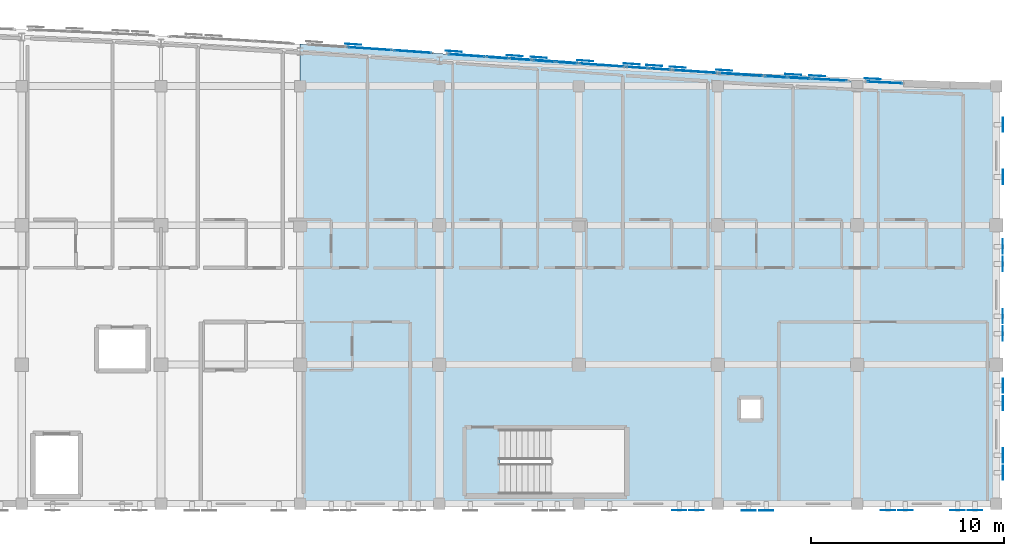
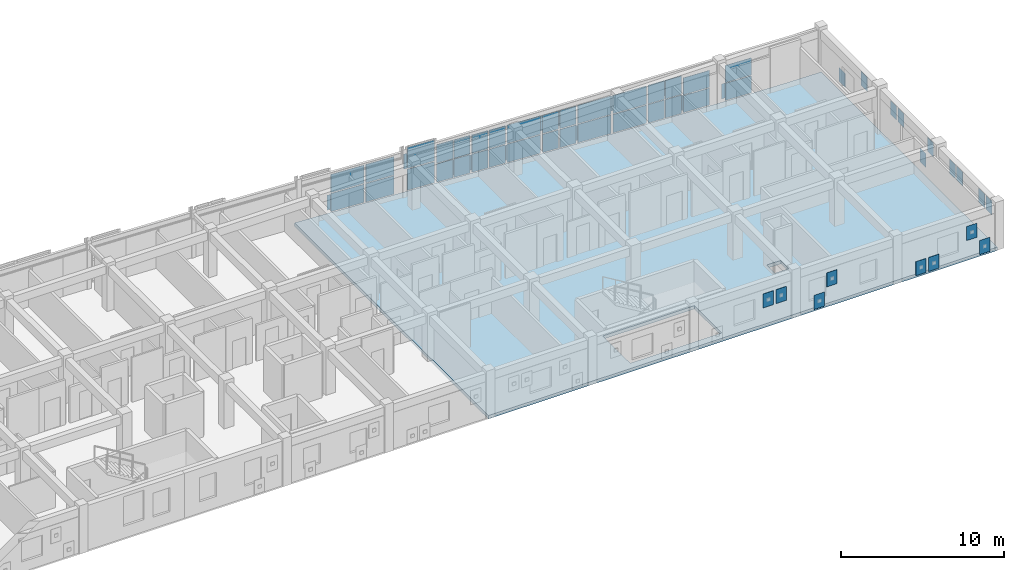
# One storey, part 34 of 48: 62 plates, 1 slab, 12 elements without a shape of their own.
"""IFC4 building model written with IfcOpenShell, lengths in metres."""

from ifc_helpers import new_model, si_unit, direction, frame, origin, origin_2d, place, context, subcontext, project, spatial, polyline, rectangle, outline, extrude, material, layer, layer_set, type_object, element, aggregate, save


model = new_model("IFC4")

# Units and contexts
model_context = context("Model", 3, precision=1e-05, world=origin(), true_north=direction((0.0, 1.0)))
body_context = subcontext(model_context, "Body", "Model", "MODEL_VIEW")
ifc_project = project(units=[si_unit("LENGTHUNIT", "METRE"), si_unit("AREAUNIT", "SQUARE_METRE"), si_unit("VOLUMEUNIT", "CUBIC_METRE"), si_unit("PLANEANGLEUNIT", "RADIAN"), si_unit("MASSUNIT", "GRAM", prefix="KILO")], contexts=[model_context])

# Site, building, storey
site_placement = place(None, origin())
site = spatial("IfcSite", under=ifc_project, at=site_placement, CompositionType="ELEMENT")
building_placement = place(site_placement, origin())
building = spatial("IfcBuilding", under=site, at=building_placement, Name="Carrowvane Square Congress Hotel", CompositionType="ELEMENT")
storey_placement = place(building_placement, frame((0.0, 0.0, 26.39990234375)))
storey = spatial("IfcBuildingStorey", under=building, at=storey_placement, Name="L06", CompositionType="ELEMENT", Elevation=26.39990234375)

# Curtain wall, plates
ifc_material_1 = material(Name="Anodised aluminium", Category="aluminium")
ifc_layer_1 = layer(ifc_material_1, 0.197998046875)
ifc_layer_set_1 = layer_set([ifc_layer_1], Name="Anodised aluminium")
curtain_wall_type_1 = type_object("IfcCurtainWallType", Name="CW-SYS-4", PredefinedType="NOTDEFINED", material=ifc_layer_set_1)
curtain_wall_1_placement = place(storey_placement, origin())
curtain_wall_1 = element("IfcCurtainWall", 1, at=curtain_wall_1_placement, inside=storey, type_object=curtain_wall_type_1, Name="L06 unitised curtain wall 395", PredefinedType="NOTDEFINED")
ifc_material_2 = material(Name="Double-glazed low-E glass", Category="glass")
ifc_layer_2 = layer(ifc_material_2, 0.028076171875)
ifc_layer_set_2 = layer_set([ifc_layer_2], Name="Double-glazed low-E glass")
plate_type_1 = type_object("IfcPlateType", Name="CW-PAN-1", PredefinedType="CURTAIN_PANEL", material=ifc_layer_set_2)
plate_1_placement = place(storey_placement, frame((130.39990234375, 115.33544921875, 0.070068359375), z_axis=(0.0, 0.0, 1.0), x_axis=(0.99769420292, -0.067869562107, 0.0)))
plate_1 = element("IfcPlate", 2, at=plate_1_placement, type_object=plate_type_1, Name="CW-4 panel 1.1", PredefinedType="CURTAIN_PANEL", context=body_context, shape_type="SweptSolid", body=[
    extrude(rectangle(XDim=2.265380859375, YDim=0.028076171875, at=origin_2d()), origin(), (0.0, 0.0, 1.0), 1.35791015625),
])
plate_2_placement = place(storey_placement, frame((130.39990234375, 115.33544921875, 1.497802734375), z_axis=(0.0, 0.0, 1.0), x_axis=(0.99769420292, -0.067869562107, 0.0)))
plate_2 = element("IfcPlate", 3, at=plate_2_placement, type_object=plate_type_1, Name="CW-4 panel 1.2", PredefinedType="CURTAIN_PANEL", context=body_context, shape_type="SweptSolid", body=[
    extrude(rectangle(XDim=2.265380859375, YDim=0.028076171875, at=origin_2d()), origin(), (0.0, 0.0, 1.0), 1.35791015625),
])
aggregate(curtain_wall_1, [plate_1, plate_2])

ifc_material_3 = material(Name="Anodised aluminium", Category="aluminium")
ifc_layer_3 = layer(ifc_material_3, 0.162109375)
ifc_layer_set_3 = layer_set([ifc_layer_3], Name="Anodised aluminium")
curtain_wall_type_2 = type_object("IfcCurtainWallType", Name="CW-SYS-1", PredefinedType="NOTDEFINED", material=ifc_layer_set_3)
curtain_wall_2_placement = place(storey_placement, origin())
curtain_wall_2 = element("IfcCurtainWall", 4, at=curtain_wall_2_placement, inside=storey, type_object=curtain_wall_type_2, Name="L06 unitised curtain wall 400", PredefinedType="NOTDEFINED")
plate_3_placement = place(storey_placement, frame((142.39990234375, 114.486328125, 0.06005859375), z_axis=(0.0, 0.0, 1.0), x_axis=(0.997505697746, -0.070585996942, 0.0)))
plate_3 = element("IfcPlate", 5, at=plate_3_placement, type_object=plate_type_1, Name="CW-1 panel 1.1", PredefinedType="CURTAIN_PANEL", context=body_context, shape_type="SweptSolid", body=[
    extrude(rectangle(XDim=2.285888671875, YDim=0.028076171875, at=origin_2d()), origin(), (0.0, 0.0, 1.0), 1.372802734375),
])
plate_4_placement = place(storey_placement, frame((142.39990234375, 114.486328125, 1.49267578125), z_axis=(0.0, 0.0, 1.0), x_axis=(0.997505697746, -0.070585996942, 0.0)))
plate_4 = element("IfcPlate", 6, at=plate_4_placement, type_object=plate_type_1, Name="CW-1 panel 1.2", PredefinedType="CURTAIN_PANEL", context=body_context, shape_type="SweptSolid", body=[
    extrude(rectangle(XDim=2.285888671875, YDim=0.028076171875, at=origin_2d()), origin(), (0.0, 0.0, 1.0), 1.372802734375),
])
aggregate(curtain_wall_2, [plate_3, plate_4])

ifc_material_4 = material(Name="Anodised aluminium", Category="aluminium")
ifc_layer_4 = layer(ifc_material_4, 0.221923828125)
ifc_layer_set_4 = layer_set([ifc_layer_4], Name="Anodised aluminium")
curtain_wall_type_3 = type_object("IfcCurtainWallType", Name="CW-SYS-6", PredefinedType="NOTDEFINED", material=ifc_layer_set_4)
curtain_wall_3_placement = place(storey_placement, origin())
curtain_wall_3 = element("IfcCurtainWall", 7, at=curtain_wall_3_placement, inside=storey, type_object=curtain_wall_type_3, Name="L06 unitised curtain wall 405", PredefinedType="NOTDEFINED")
plate_5_placement = place(storey_placement, frame((154.16845703125, 113.7294921875, 0.0703125), z_axis=(0.0, 0.0, 1.0), x_axis=(0.998566981227, -0.053516203185, 0.0)))
plate_5 = element("IfcPlate", 8, at=plate_5_placement, type_object=plate_type_1, Name="CW-6 panel 1.1", PredefinedType="CURTAIN_PANEL", context=body_context, shape_type="SweptSolid", body=[
    extrude(rectangle(XDim=1.799560546875, YDim=0.028076171875, at=origin_2d()), origin(), (0.0, 0.0, 1.0), 1.262451171875),
])
plate_6_placement = place(storey_placement, frame((154.16845703125, 113.7294921875, 1.40283203125), z_axis=(0.0, 0.0, 1.0), x_axis=(0.998566981227, -0.053516203185, 0.0)))
plate_6 = element("IfcPlate", 9, at=plate_6_placement, type_object=plate_type_1, Name="CW-6 panel 1.2", PredefinedType="CURTAIN_PANEL", context=body_context, shape_type="SweptSolid", body=[
    extrude(rectangle(XDim=1.799560546875, YDim=0.028076171875, at=origin_2d()), origin(), (0.0, 0.0, 1.0), 1.262451171875),
])
aggregate(curtain_wall_3, [plate_5, plate_6])

ifc_material_5 = material(Name="Anodised aluminium", Category="aluminium")
ifc_layer_5 = layer(ifc_material_5, 0.2099609375)
ifc_layer_set_5 = layer_set([ifc_layer_5], Name="Anodised aluminium")
curtain_wall_type_4 = type_object("IfcCurtainWallType", Name="CW-SYS-5", PredefinedType="NOTDEFINED", material=ifc_layer_set_5)
curtain_wall_4_placement = place(storey_placement, origin())
curtain_wall_4 = element("IfcCurtainWall", 10, at=curtain_wall_4_placement, inside=storey, type_object=curtain_wall_type_4, Name="L06 unitised curtain wall 396", PredefinedType="NOTDEFINED")
ifc_material_6 = material(Name="Double-glazed low-E glass", Category="glass")
ifc_layer_6 = layer(ifc_material_6, 0.031982421875)
ifc_layer_set_6 = layer_set([ifc_layer_6], Name="Double-glazed low-E glass")
plate_type_2 = type_object("IfcPlateType", Name="CW-PAN-2", PredefinedType="CURTAIN_PANEL", material=ifc_layer_set_6)
plate_7_placement = place(storey_placement, frame((132.621337890625, 115.182373046875, 0.06005859375), z_axis=(0.0, 0.0, 1.0), x_axis=(0.997566119277, -0.069726879118, 0.0)))
plate_7 = element("IfcPlate", 11, at=plate_7_placement, type_object=plate_type_2, Name="CW-5 panel 1.1", PredefinedType="CURTAIN_PANEL", context=body_context, shape_type="SweptSolid", body=[
    extrude(rectangle(XDim=1.927734375, YDim=0.031982421875, at=origin_2d()), origin(), (0.0, 0.0, 1.0), 1.372802734375),
])
plate_8_placement = place(storey_placement, frame((132.621337890625, 115.182373046875, 1.49267578125), z_axis=(0.0, 0.0, 1.0), x_axis=(0.997566119277, -0.069726879118, 0.0)))
plate_8 = element("IfcPlate", 12, at=plate_8_placement, type_object=plate_type_2, Name="CW-5 panel 1.2", PredefinedType="CURTAIN_PANEL", context=body_context, shape_type="SweptSolid", body=[
    extrude(rectangle(XDim=1.927734375, YDim=0.031982421875, at=origin_2d()), origin(), (0.0, 0.0, 1.0), 1.372802734375),
])
aggregate(curtain_wall_4, [plate_7, plate_8])

ifc_material_7 = material(Name="Anodised aluminium", Category="aluminium")
ifc_layer_7 = layer(ifc_material_7, 0.174072265625)
ifc_layer_set_7 = layer_set([ifc_layer_7], Name="Anodised aluminium")
curtain_wall_type_5 = type_object("IfcCurtainWallType", Name="CW-SYS-2", PredefinedType="NOTDEFINED", material=ifc_layer_set_7)
curtain_wall_5_placement = place(storey_placement, origin())
curtain_wall_5 = element("IfcCurtainWall", 13, at=curtain_wall_5_placement, inside=storey, type_object=curtain_wall_type_5, Name="L06 unitised curtain wall 401", PredefinedType="NOTDEFINED")
plate_9_placement = place(storey_placement, frame((144.217529296875, 114.358642578125, 0.070068359375), z_axis=(0.0, 0.0, 1.0), x_axis=(0.997617619706, -0.068986120725, 0.0)))
plate_9 = element("IfcPlate", 14, at=plate_9_placement, type_object=plate_type_2, Name="CW-2 panel 1.1", PredefinedType="CURTAIN_PANEL", context=body_context, shape_type="SweptSolid", body=[
    extrude(rectangle(XDim=1.097900390625, YDim=0.031982421875, at=origin_2d()), origin(), (0.0, 0.0, 1.0), 1.35791015625),
])
plate_10_placement = place(storey_placement, frame((144.217529296875, 114.358642578125, 1.497802734375), z_axis=(0.0, 0.0, 1.0), x_axis=(0.997617619706, -0.068986120725, 0.0)))
plate_10 = element("IfcPlate", 15, at=plate_10_placement, type_object=plate_type_2, Name="CW-2 panel 1.2", PredefinedType="CURTAIN_PANEL", context=body_context, shape_type="SweptSolid", body=[
    extrude(rectangle(XDim=1.097900390625, YDim=0.031982421875, at=origin_2d()), origin(), (0.0, 0.0, 1.0), 1.35791015625),
])
plate_11_placement = place(storey_placement, frame((145.382568359375, 114.278076171875, 0.070068359375), z_axis=(0.0, 0.0, 1.0), x_axis=(0.997617619706, -0.068986120725, 0.0)))
plate_11 = element("IfcPlate", 16, at=plate_11_placement, type_object=plate_type_2, Name="CW-2 panel 2.1", PredefinedType="CURTAIN_PANEL", context=body_context, shape_type="SweptSolid", body=[
    extrude(rectangle(XDim=1.097900390625, YDim=0.031982421875, at=origin_2d()), origin(), (0.0, 0.0, 1.0), 1.35791015625),
])
plate_12_placement = place(storey_placement, frame((145.382568359375, 114.278076171875, 1.497802734375), z_axis=(0.0, 0.0, 1.0), x_axis=(0.997617619706, -0.068986120725, 0.0)))
plate_12 = element("IfcPlate", 17, at=plate_12_placement, type_object=plate_type_2, Name="CW-2 panel 2.2", PredefinedType="CURTAIN_PANEL", context=body_context, shape_type="SweptSolid", body=[
    extrude(rectangle(XDim=1.097900390625, YDim=0.031982421875, at=origin_2d()), origin(), (0.0, 0.0, 1.0), 1.35791015625),
])
aggregate(curtain_wall_5, [plate_9, plate_10, plate_11, plate_12])

ifc_material_8 = material(Name="Anodised aluminium", Category="aluminium")
ifc_layer_8 = layer(ifc_material_8, 0.23388671875)
ifc_layer_set_8 = layer_set([ifc_layer_8], Name="Anodised aluminium")
curtain_wall_type_6 = type_object("IfcCurtainWallType", Name="CW-SYS-7", PredefinedType="NOTDEFINED", material=ifc_layer_set_8)
curtain_wall_6_placement = place(storey_placement, origin())
curtain_wall_6 = element("IfcCurtainWall", 18, at=curtain_wall_6_placement, inside=storey, type_object=curtain_wall_type_6, Name="L06 unitised curtain wall 406", PredefinedType="NOTDEFINED")
plate_13_placement = place(storey_placement, frame((157.044189453125, 113.58544921875, 0.06005859375), z_axis=(0.0, 0.0, 1.0), x_axis=(0.998917263935, -0.046522035775, 0.0)))
plate_13 = element("IfcPlate", 19, at=plate_13_placement, type_object=plate_type_2, Name="CW-7 panel 1.1", PredefinedType="CURTAIN_PANEL", context=body_context, shape_type="SweptSolid", body=[
    extrude(rectangle(XDim=1.79345703125, YDim=0.031982421875, at=origin_2d()), origin(), (0.0, 0.0, 1.0), 1.277587890625),
])
plate_14_placement = place(storey_placement, frame((157.044189453125, 113.58544921875, 1.3974609375), z_axis=(0.0, 0.0, 1.0), x_axis=(0.998917263935, -0.046522035775, 0.0)))
plate_14 = element("IfcPlate", 20, at=plate_14_placement, type_object=plate_type_2, Name="CW-7 panel 1.2", PredefinedType="CURTAIN_PANEL", context=body_context, shape_type="SweptSolid", body=[
    extrude(rectangle(XDim=1.79345703125, YDim=0.031982421875, at=origin_2d()), origin(), (0.0, 0.0, 1.0), 1.277587890625),
])
aggregate(curtain_wall_6, [plate_13, plate_14])

curtain_wall_7_placement = place(storey_placement, origin())
curtain_wall_7 = element("IfcCurtainWall", 21, at=curtain_wall_7_placement, inside=storey, type_object=curtain_wall_type_3, Name="L06 unitised curtain wall 397", PredefinedType="NOTDEFINED")
ifc_material_9 = material(Name="Double-glazed low-E glass", Category="glass")
ifc_layer_9 = layer(ifc_material_9, 0.035888671875)
ifc_layer_set_9 = layer_set([ifc_layer_9], Name="Double-glazed low-E glass")
plate_type_3 = type_object("IfcPlateType", Name="CW-PAN-3", PredefinedType="CURTAIN_PANEL", material=ifc_layer_set_9)
plate_15_placement = place(storey_placement, frame((135.4052734375, 114.986083984375, 0.06982421875), z_axis=(0.0, 0.0, 1.0), x_axis=(0.997479171673, -0.070959862453, 0.0)))
plate_15 = element("IfcPlate", 22, at=plate_15_placement, type_object=plate_type_3, Name="CW-6 panel 1.1", PredefinedType="CURTAIN_PANEL", context=body_context, shape_type="SweptSolid", body=[
    extrude(rectangle(XDim=1.8544921875, YDim=0.035888671875, at=origin_2d()), origin(), (0.0, 0.0, 1.0), 1.570068359375),
])
plate_16_placement = place(storey_placement, frame((135.4052734375, 114.986083984375, 1.7099609375), z_axis=(0.0, 0.0, 1.0), x_axis=(0.997479171673, -0.070959862453, 0.0)))
plate_16 = element("IfcPlate", 23, at=plate_16_placement, type_object=plate_type_3, Name="CW-6 panel 1.2", PredefinedType="CURTAIN_PANEL", context=body_context, shape_type="SweptSolid", body=[
    extrude(rectangle(XDim=1.8544921875, YDim=0.035888671875, at=origin_2d()), origin(), (0.0, 0.0, 1.0), 1.570068359375),
])
aggregate(curtain_wall_7, [plate_15, plate_16])

ifc_material_10 = material(Name="Anodised aluminium", Category="aluminium")
ifc_layer_10 = layer(ifc_material_10, 0.18603515625)
ifc_layer_set_10 = layer_set([ifc_layer_10], Name="Anodised aluminium")
curtain_wall_type_7 = type_object("IfcCurtainWallType", Name="CW-SYS-3", PredefinedType="NOTDEFINED", material=ifc_layer_set_10)
curtain_wall_8_placement = place(storey_placement, origin())
curtain_wall_8 = element("IfcCurtainWall", 24, at=curtain_wall_8_placement, inside=storey, type_object=curtain_wall_type_7, Name="L06 unitised curtain wall 402", PredefinedType="NOTDEFINED")
plate_17_placement = place(storey_placement, frame((147.199951171875, 114.155517578125, 0.06005859375), z_axis=(0.0, 0.0, 1.0), x_axis=(0.997781495544, -0.06657392244, 0.0)))
plate_17 = element("IfcPlate", 25, at=plate_17_placement, type_object=plate_type_3, Name="CW-3 panel 1.1", PredefinedType="CURTAIN_PANEL", context=body_context, shape_type="SweptSolid", body=[
    extrude(rectangle(XDim=2.285400390625, YDim=0.035888671875, at=origin_2d()), origin(), (0.0, 0.0, 1.0), 1.372802734375),
])
plate_18_placement = place(storey_placement, frame((147.199951171875, 114.155517578125, 1.49267578125), z_axis=(0.0, 0.0, 1.0), x_axis=(0.997781495544, -0.06657392244, 0.0)))
plate_18 = element("IfcPlate", 26, at=plate_18_placement, type_object=plate_type_3, Name="CW-3 panel 1.2", PredefinedType="CURTAIN_PANEL", context=body_context, shape_type="SweptSolid", body=[
    extrude(rectangle(XDim=2.285400390625, YDim=0.035888671875, at=origin_2d()), origin(), (0.0, 0.0, 1.0), 1.372802734375),
])
aggregate(curtain_wall_8, [plate_17, plate_18])

curtain_wall_9_placement = place(storey_placement, origin())
curtain_wall_9 = element("IfcCurtainWall", 27, at=curtain_wall_9_placement, inside=storey, type_object=curtain_wall_type_6, Name="L06 unitised curtain wall 398", PredefinedType="NOTDEFINED")
ifc_material_11 = material(Name="Double-glazed low-E glass", Category="glass")
ifc_layer_11 = layer(ifc_material_11, 0.0419921875)
ifc_layer_set_11 = layer_set([ifc_layer_11], Name="Double-glazed low-E glass")
plate_type_4 = type_object("IfcPlateType", Name="CW-PAN-4", PredefinedType="CURTAIN_PANEL", material=ifc_layer_set_11)
plate_19_placement = place(storey_placement, frame((137.014892578125, 114.87109375, 0.06005859375), z_axis=(0.0, 0.0, 1.0), x_axis=(0.997438322595, -0.071531759512, 0.0)))
plate_19 = element("IfcPlate", 28, at=plate_19_placement, type_object=plate_type_4, Name="CW-7 panel 1.1", PredefinedType="CURTAIN_PANEL", context=body_context, shape_type="SweptSolid", body=[
    extrude(rectangle(XDim=1.113037109375, YDim=0.0419921875, at=origin_2d()), origin(), (0.0, 0.0, 1.0), 1.372802734375),
])
plate_20_placement = place(storey_placement, frame((137.014892578125, 114.87109375, 1.49267578125), z_axis=(0.0, 0.0, 1.0), x_axis=(0.997438322595, -0.071531759512, 0.0)))
plate_20 = element("IfcPlate", 29, at=plate_20_placement, type_object=plate_type_4, Name="CW-7 panel 1.2", PredefinedType="CURTAIN_PANEL", context=body_context, shape_type="SweptSolid", body=[
    extrude(rectangle(XDim=1.113037109375, YDim=0.0419921875, at=origin_2d()), origin(), (0.0, 0.0, 1.0), 1.372802734375),
])
plate_21_placement = place(storey_placement, frame((138.18505859375, 114.787109375, 0.06005859375), z_axis=(0.0, 0.0, 1.0), x_axis=(0.997438322595, -0.071531759512, 0.0)))
plate_21 = element("IfcPlate", 30, at=plate_21_placement, type_object=plate_type_4, Name="CW-7 panel 2.1", PredefinedType="CURTAIN_PANEL", context=body_context, shape_type="SweptSolid", body=[
    extrude(rectangle(XDim=1.113037109375, YDim=0.0419921875, at=origin_2d()), origin(), (0.0, 0.0, 1.0), 1.372802734375),
])
plate_22_placement = place(storey_placement, frame((138.18505859375, 114.787109375, 1.49267578125), z_axis=(0.0, 0.0, 1.0), x_axis=(0.997438322595, -0.071531759512, 0.0)))
plate_22 = element("IfcPlate", 31, at=plate_22_placement, type_object=plate_type_4, Name="CW-7 panel 2.2", PredefinedType="CURTAIN_PANEL", context=body_context, shape_type="SweptSolid", body=[
    extrude(rectangle(XDim=1.113037109375, YDim=0.0419921875, at=origin_2d()), origin(), (0.0, 0.0, 1.0), 1.372802734375),
])
aggregate(curtain_wall_9, [plate_19, plate_20, plate_21, plate_22])

curtain_wall_10_placement = place(storey_placement, origin())
curtain_wall_10 = element("IfcCurtainWall", 32, at=curtain_wall_10_placement, inside=storey, type_object=curtain_wall_type_1, Name="L06 unitised curtain wall 403", PredefinedType="NOTDEFINED")
plate_23_placement = place(storey_placement, frame((149.60009765625, 113.999267578125, 0.070068359375), z_axis=(0.0, 0.0, 1.0), x_axis=(0.997996225303, -0.063273487972, 0.0)))
plate_23 = element("IfcPlate", 33, at=plate_23_placement, type_object=plate_type_4, Name="CW-4 panel 1.1", PredefinedType="CURTAIN_PANEL", context=body_context, shape_type="SweptSolid", body=[
    extrude(rectangle(XDim=2.264892578125, YDim=0.0419921875, at=origin_2d()), origin(), (0.0, 0.0, 1.0), 1.35791015625),
])
plate_24_placement = place(storey_placement, frame((149.60009765625, 113.999267578125, 1.497802734375), z_axis=(0.0, 0.0, 1.0), x_axis=(0.997996225303, -0.063273487972, 0.0)))
plate_24 = element("IfcPlate", 34, at=plate_24_placement, type_object=plate_type_4, Name="CW-4 panel 1.2", PredefinedType="CURTAIN_PANEL", context=body_context, shape_type="SweptSolid", body=[
    extrude(rectangle(XDim=2.264892578125, YDim=0.0419921875, at=origin_2d()), origin(), (0.0, 0.0, 1.0), 1.35791015625),
])
aggregate(curtain_wall_10, [plate_23, plate_24])

ifc_material_12 = material(Name="Anodised aluminium", Category="aluminium")
ifc_layer_12 = layer(ifc_material_12, 0.24609375)
ifc_layer_set_12 = layer_set([ifc_layer_12], Name="Anodised aluminium")
curtain_wall_type_8 = type_object("IfcCurtainWallType", Name="CW-SYS-8", PredefinedType="NOTDEFINED", material=ifc_layer_set_12)
curtain_wall_11_placement = place(storey_placement, origin())
curtain_wall_11 = element("IfcCurtainWall", 35, at=curtain_wall_11_placement, inside=storey, type_object=curtain_wall_type_8, Name="L06 unitised curtain wall 399", PredefinedType="NOTDEFINED")
ifc_material_13 = material(Name="Double-glazed low-E glass", Category="glass")
ifc_layer_13 = layer(ifc_material_13, 0.048095703125)
ifc_layer_set_13 = layer_set([ifc_layer_13], Name="Double-glazed low-E glass")
plate_type_5 = type_object("IfcPlateType", Name="CW-PAN-5", PredefinedType="CURTAIN_PANEL", material=ifc_layer_set_13)
plate_25_placement = place(storey_placement, frame((139.41748046875, 114.698974609375, 0.070068359375), z_axis=(0.0, 0.0, 1.0), x_axis=(0.997446152826, -0.071422490945, 0.0)))
plate_25 = element("IfcPlate", 36, at=plate_25_placement, type_object=plate_type_5, Name="CW-8 panel 1.1", PredefinedType="CURTAIN_PANEL", context=body_context, shape_type="SweptSolid", body=[
    extrude(rectangle(XDim=1.09814453125, YDim=0.048095703125, at=origin_2d()), origin(), (0.0, 0.0, 1.0), 1.35791015625),
])
plate_26_placement = place(storey_placement, frame((139.41748046875, 114.698974609375, 1.497802734375), z_axis=(0.0, 0.0, 1.0), x_axis=(0.997446152826, -0.071422490945, 0.0)))
plate_26 = element("IfcPlate", 37, at=plate_26_placement, type_object=plate_type_5, Name="CW-8 panel 1.2", PredefinedType="CURTAIN_PANEL", context=body_context, shape_type="SweptSolid", body=[
    extrude(rectangle(XDim=1.09814453125, YDim=0.048095703125, at=origin_2d()), origin(), (0.0, 0.0, 1.0), 1.35791015625),
])
plate_27_placement = place(storey_placement, frame((140.58251953125, 114.615478515625, 0.070068359375), z_axis=(0.0, 0.0, 1.0), x_axis=(0.997446152826, -0.071422490945, 0.0)))
plate_27 = element("IfcPlate", 38, at=plate_27_placement, type_object=plate_type_5, Name="CW-8 panel 2.1", PredefinedType="CURTAIN_PANEL", context=body_context, shape_type="SweptSolid", body=[
    extrude(rectangle(XDim=1.09814453125, YDim=0.048095703125, at=origin_2d()), origin(), (0.0, 0.0, 1.0), 1.35791015625),
])
plate_28_placement = place(storey_placement, frame((140.58251953125, 114.615478515625, 1.497802734375), z_axis=(0.0, 0.0, 1.0), x_axis=(0.997446152826, -0.071422490945, 0.0)))
plate_28 = element("IfcPlate", 39, at=plate_28_placement, type_object=plate_type_5, Name="CW-8 panel 2.2", PredefinedType="CURTAIN_PANEL", context=body_context, shape_type="SweptSolid", body=[
    extrude(rectangle(XDim=1.09814453125, YDim=0.048095703125, at=origin_2d()), origin(), (0.0, 0.0, 1.0), 1.35791015625),
])
aggregate(curtain_wall_11, [plate_25, plate_26, plate_27, plate_28])

curtain_wall_12_placement = place(storey_placement, origin())
curtain_wall_12 = element("IfcCurtainWall", 40, at=curtain_wall_12_placement, inside=storey, type_object=curtain_wall_type_4, Name="L06 unitised curtain wall 404", PredefinedType="NOTDEFINED")
plate_29_placement = place(storey_placement, frame((151.4150390625, 113.88671875, 0.06005859375), z_axis=(0.0, 0.0, 1.0), x_axis=(0.99825866099, -0.058988522254, 0.0)))
plate_29 = element("IfcPlate", 41, at=plate_29_placement, type_object=plate_type_5, Name="CW-5 panel 1.1", PredefinedType="CURTAIN_PANEL", context=body_context, shape_type="SweptSolid", body=[
    extrude(rectangle(XDim=1.112060546875, YDim=0.048095703125, at=origin_2d()), origin(), (0.0, 0.0, 1.0), 1.372802734375),
])
plate_30_placement = place(storey_placement, frame((151.4150390625, 113.88671875, 1.49267578125), z_axis=(0.0, 0.0, 1.0), x_axis=(0.99825866099, -0.058988522254, 0.0)))
plate_30 = element("IfcPlate", 42, at=plate_30_placement, type_object=plate_type_5, Name="CW-5 panel 1.2", PredefinedType="CURTAIN_PANEL", context=body_context, shape_type="SweptSolid", body=[
    extrude(rectangle(XDim=1.112060546875, YDim=0.048095703125, at=origin_2d()), origin(), (0.0, 0.0, 1.0), 1.372802734375),
])
plate_31_placement = place(storey_placement, frame((152.5849609375, 113.817626953125, 0.06005859375), z_axis=(0.0, 0.0, 1.0), x_axis=(0.99825866099, -0.058988522254, 0.0)))
plate_31 = element("IfcPlate", 43, at=plate_31_placement, type_object=plate_type_5, Name="CW-5 panel 2.1", PredefinedType="CURTAIN_PANEL", context=body_context, shape_type="SweptSolid", body=[
    extrude(rectangle(XDim=1.112060546875, YDim=0.048095703125, at=origin_2d()), origin(), (0.0, 0.0, 1.0), 1.372802734375),
])
plate_32_placement = place(storey_placement, frame((152.5849609375, 113.817626953125, 1.49267578125), z_axis=(0.0, 0.0, 1.0), x_axis=(0.99825866099, -0.058988522254, 0.0)))
plate_32 = element("IfcPlate", 44, at=plate_32_placement, type_object=plate_type_5, Name="CW-5 panel 2.2", PredefinedType="CURTAIN_PANEL", context=body_context, shape_type="SweptSolid", body=[
    extrude(rectangle(XDim=1.112060546875, YDim=0.048095703125, at=origin_2d()), origin(), (0.0, 0.0, 1.0), 1.372802734375),
])
aggregate(curtain_wall_12, [plate_29, plate_30, plate_31, plate_32])

# Plates
ifc_material_14 = material(Name="Champagne-gold anodised aluminium", Category="aluminium")
ifc_layer_14 = layer(ifc_material_14, 0.011962890625)
ifc_layer_set_14 = layer_set([ifc_layer_14], Name="Champagne-gold anodised aluminium")
plate_type_6 = type_object("IfcPlateType", Name="PLT-PIX-GOLD12", PredefinedType="SHEET", material=ifc_layer_set_14)
for number, where, z_axis, x_axis, name in (
    (45, (129.535400390625, 115.560546875, 0.1201171875), (0.0, 0.0, 1.0), (0.9976944394, -0.067866085713, 0.0), "Champagne-gold pixel screen plate 557"),
    (46, (134.746337890625, 115.19921875, 1.590087890625), (0.0, 0.0, 1.0), (0.997479379392, -0.070956942496, 0.0), "Champagne-gold pixel screen plate 558"),
    (47, (139.1357421875, 114.885498046875, 0.1201171875), (0.0, 0.0, 1.0), (0.997446326449, -0.071420066188, 0.0), "Champagne-gold pixel screen plate 560"),
    (48, (143.935546875, 114.544677734375, 1.590087890625), (0.0, 0.0, 1.0), (0.99761759323, -0.068986503591, 0.0), "Champagne-gold pixel screen plate 562"),
    (49, (145.1005859375, 114.464111328125, 1.590087890625), (0.0, 0.0, 1.0), (0.99761759323, -0.068986503591, 0.0), "Champagne-gold pixel screen plate 563"),
    (50, (148.734619140625, 114.220458984375, 1.590087890625), (0.0, 0.0, 1.0), (0.997996022269, -0.063276690295, 0.0), "Champagne-gold pixel screen plate 565"),
    (51, (153.533203125, 113.9296875, 0.1201171875), (0.0, 0.0, 1.0), (0.998566941363, -0.053516947007, 0.0), "Champagne-gold pixel screen plate 567"),
):
    element("IfcPlate", number, at=place(storey_placement, frame(where, z_axis=z_axis, x_axis=x_axis)), inside=storey, type_object=plate_type_6, Name=name, PredefinedType="SHEET", context=body_context, shape_type="SweptSolid", body=[
        extrude(rectangle(XDim=0.827880859375, YDim=0.011962890625, at=origin_2d()), origin(), (0.0, 0.0, 1.0), 1.1201171875),
    ])
for number, where, z_axis, x_axis, name in (
    (52, (163.14599609375, 111.39990234375, 0.1552734375), (0.0, 0.0, 1.0), (0.0, -1.0, 0.0), "Champagne-gold pixel screen plate S-569"),
    (53, (163.14599609375, 108.699951171875, 1.51025390625), (0.0, 0.0, 1.0), (0.0, -1.0, 0.0), "Champagne-gold pixel screen plate S-570"),
    (54, (163.14599609375, 97.89990234375, 1.51025390625), (0.0, 0.0, 1.0), (0.0, -1.0, 0.0), "Champagne-gold pixel screen plate S-575"),
    (55, (163.14599609375, 97.0, 1.51025390625), (0.0, 0.0, 1.0), (0.0, -1.0, 0.0), "Champagne-gold pixel screen plate S-576"),
    (56, (163.14599609375, 94.300048828125, 1.51025390625), (0.0, 0.0, 1.0), (0.0, -1.0, 0.0), "Champagne-gold pixel screen plate S-577"),
    (57, (163.14599609375, 93.39990234375, 1.51025390625), (0.0, 0.0, 1.0), (0.0, -1.0, 0.0), "Champagne-gold pixel screen plate S-578"),
    (58, (150.89990234375, 91.4541015625, 1.52490234375), (0.0, 0.0, 1.0), (-1.0, 0.0, 0.0), "Champagne-gold pixel screen plate S-583"),
    (59, (150.0, 91.4541015625, 0.1552734375), (0.0, 0.0, 1.0), (-1.0, 0.0, 0.0), "Champagne-gold pixel screen plate S-584"),
):
    element("IfcPlate", number, at=place(storey_placement, frame(where, z_axis=z_axis, x_axis=x_axis)), inside=storey, type_object=plate_type_6, Name=name, PredefinedType="SHEET", context=body_context, shape_type="SweptSolid", body=[
        extrude(rectangle(XDim=0.738037109375, YDim=0.011962890625, at=origin_2d()), origin(), (0.0, 0.0, 1.0), 1.050048828125),
    ])
ifc_material_15 = material(Name="Champagne-gold anodised aluminium", Category="aluminium")
ifc_layer_15 = layer(ifc_material_15, 0.008056640625)
ifc_layer_set_15 = layer_set([ifc_layer_15], Name="Champagne-gold anodised aluminium")
plate_type_7 = type_object("IfcPlateType", Name="PLT-PIX-GOLD8", PredefinedType="SHEET", material=ifc_layer_set_15)
for number, where, z_axis, x_axis, name in (
    (60, (137.90087890625, 114.971923828125, 0.1201171875), (0.0, 0.0, 1.0), (0.997438267187, -0.071532532122, 0.0), "Champagne-gold pixel screen plate 559"),
    (61, (141.530517578125, 114.71240234375, 0.1201171875), (0.0, 0.0, 1.0), (0.997505756275, -0.070585169822, 0.0), "Champagne-gold pixel screen plate 561"),
    (62, (146.330078125, 114.3779296875, 0.1201171875), (0.0, 0.0, 1.0), (0.997781458784, -0.066574473385, 0.0), "Champagne-gold pixel screen plate 564"),
    (63, (152.299072265625, 113.998779296875, 1.590087890625), (0.0, 0.0, 1.0), (0.998258866948, -0.05898503675, 0.0), "Champagne-gold pixel screen plate 566"),
    (64, (156.415771484375, 113.77880859375, 0.1201171875), (0.0, 0.0, 1.0), (0.99891730083, -0.046521243556, 0.0), "Champagne-gold pixel screen plate 568"),
):
    element("IfcPlate", number, at=place(storey_placement, frame(where, z_axis=z_axis, x_axis=x_axis)), inside=storey, type_object=plate_type_7, Name=name, PredefinedType="SHEET", context=body_context, shape_type="SweptSolid", body=[
        extrude(rectangle(XDim=0.827880859375, YDim=0.008056640625, at=origin_2d()), origin(), (0.0, 0.0, 1.0), 1.1201171875),
    ])
for number, where, z_axis, x_axis, name in (
    (65, (163.14404296875, 105.10009765625, 1.51025390625), (0.0, 0.0, 1.0), (0.0, -1.0, 0.0), "Champagne-gold pixel screen plate S-571"),
    (66, (163.14404296875, 104.199951171875, 1.51025390625), (0.0, 0.0, 1.0), (0.0, -1.0, 0.0), "Champagne-gold pixel screen plate S-572"),
    (67, (163.14404296875, 101.5, 0.1552734375), (0.0, 0.0, 1.0), (0.0, -1.0, 0.0), "Champagne-gold pixel screen plate S-573"),
    (68, (163.14404296875, 100.60009765625, 1.51025390625), (0.0, 0.0, 1.0), (0.0, -1.0, 0.0), "Champagne-gold pixel screen plate S-574"),
    (69, (161.699951171875, 91.4560546875, 0.1552734375), (0.0, 0.0, 1.0), (-1.0, 0.0, 0.0), "Champagne-gold pixel screen plate S-579"),
    (70, (160.800048828125, 91.4560546875, 1.52490234375), (0.0, 0.0, 1.0), (-1.0, 0.0, 0.0), "Champagne-gold pixel screen plate S-580"),
    (71, (158.10009765625, 91.4560546875, 0.1552734375), (0.0, 0.0, 1.0), (-1.0, 0.0, 0.0), "Champagne-gold pixel screen plate S-581"),
    (72, (157.199951171875, 91.4560546875, 0.1552734375), (0.0, 0.0, 1.0), (-1.0, 0.0, 0.0), "Champagne-gold pixel screen plate S-582"),
    (73, (147.300048828125, 91.4560546875, 1.52490234375), (0.0, 0.0, 1.0), (-1.0, 0.0, 0.0), "Champagne-gold pixel screen plate S-585"),
    (74, (146.39990234375, 91.4560546875, 1.52490234375), (0.0, 0.0, 1.0), (-1.0, 0.0, 0.0), "Champagne-gold pixel screen plate S-586"),
):
    element("IfcPlate", number, at=place(storey_placement, frame(where, z_axis=z_axis, x_axis=x_axis)), inside=storey, type_object=plate_type_7, Name=name, PredefinedType="SHEET", context=body_context, shape_type="SweptSolid", body=[
        extrude(rectangle(XDim=0.738037109375, YDim=0.008056640625, at=origin_2d()), origin(), (0.0, 0.0, 1.0), 1.050048828125),
    ])

# Slab
ifc_material_16 = material(Name="Concrete C35/45", Category="concrete")
ifc_layer_16 = layer(ifc_material_16, 0.25)
ifc_layer_set_16 = layer_set([ifc_layer_16], Name="Concrete C35/45")
slab_type = type_object("IfcSlabType", Name="SLB-FLR-250", PredefinedType="FLOOR", material=ifc_layer_set_16)
slab_placement = place(storey_placement, frame((0.0, 0.0, -0.25)))
element("IfcSlab", 75, at=slab_placement, inside=storey, type_object=slab_type, Name="L06 Hotel Wing slab panel 3", PredefinedType="FLOOR", context=body_context, shape_type="SweptSolid", body=[
    extrude(outline(polyline([(126.800048828125, 91.800048828125), (162.800048828125, 91.800048828125), (162.800048828125, 113.39990234375), (160.39990234375, 113.45166015625), (158.0, 113.541015625), (155.60009765625, 113.65283203125), (153.199951171875, 113.78125), (150.800048828125, 113.923095703125), (148.39990234375, 114.075439453125), (146.0, 114.235595703125), (143.60009765625, 114.4013671875), (141.199951171875, 114.5712890625), (138.800048828125, 114.7431640625), (136.39990234375, 114.915283203125), (134.0, 115.0859375), (131.60009765625, 115.253662109375), (129.199951171875, 115.4169921875), (126.800048828125, 115.57421875), (126.800048828125, 91.800048828125)]), holes=[polyline([(137.1201171875, 92.300048828125), (143.60009765625, 92.300048828125), (143.60009765625, 95.659912109375), (137.1201171875, 95.659912109375), (137.1201171875, 92.300048828125)]), polyline([(149.60009765625, 96.199951171875), (150.60009765625, 96.199951171875), (150.60009765625, 97.199951171875), (149.60009765625, 97.199951171875), (149.60009765625, 96.199951171875)])]), origin(), (0.0, 0.0, 1.0), 0.25),
])

save(model, "model.ifc")
